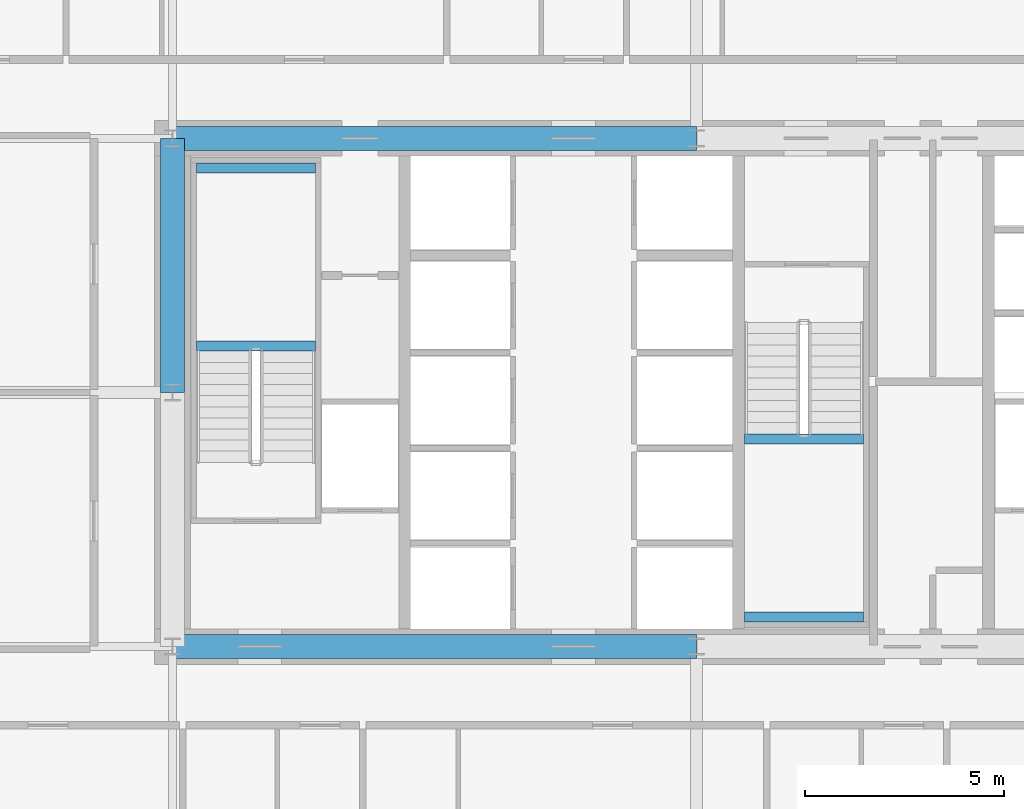
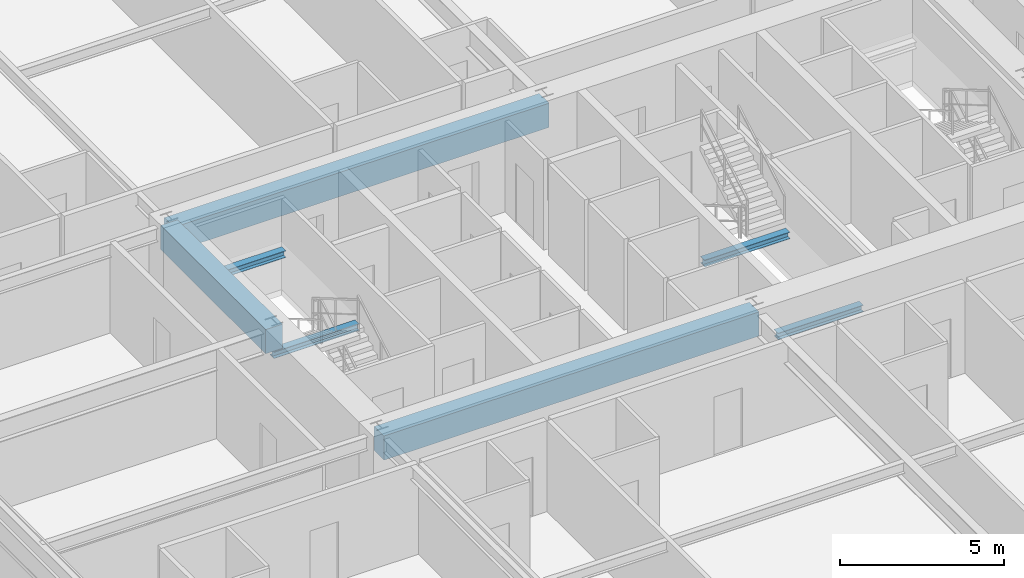
# One storey, part 12 of 43: 7 beams.
"""IFC4 building model written with IfcOpenShell, lengths in metres."""

from ifc_helpers import new_model, si_unit, direction, frame, origin, origin_2d, place, context, subcontext, project, spatial, rectangle, i_section, extrude, source, transform, mapped, material, material_profile, profile_set, type_object, element, save


model = new_model("IFC4")

# Units and contexts
model_context = context("Model", 3, precision=1e-05, world=origin(), true_north=direction((0.0, 1.0)))
body_context = subcontext(model_context, "Body", "Model", "MODEL_VIEW")
ifc_project = project(units=[si_unit("LENGTHUNIT", "METRE"), si_unit("AREAUNIT", "SQUARE_METRE"), si_unit("VOLUMEUNIT", "CUBIC_METRE"), si_unit("PLANEANGLEUNIT", "RADIAN"), si_unit("MASSUNIT", "GRAM", prefix="KILO"), si_unit("THERMODYNAMICTEMPERATUREUNIT", "KELVIN"), si_unit("POWERUNIT", "WATT")], contexts=[model_context])

# Site, building, storey
site_placement = place(None, origin())
site = spatial("IfcSite", under=ifc_project, at=site_placement, CompositionType="ELEMENT")
building_placement = place(site_placement, origin())
building = spatial("IfcBuilding", under=site, at=building_placement, Name="Yuzanri Waterfront Tower", CompositionType="ELEMENT")
storey_placement = place(building_placement, frame((0.0, 0.0, 67.60009765625)))
storey = spatial("IfcBuildingStorey", under=building, at=storey_placement, Name="L17", CompositionType="ELEMENT", Elevation=67.60009765625)

# Beams
ifc_material_1 = material(Name="Concrete C60", Category="concrete")
ifc_material_profile_1 = material_profile(ifc_material_1, rectangle(XDim=0.60009765625, YDim=0.89990234375, at=origin_2d()), Name="RC 600x900")
ifc_profile_set_1 = profile_set([ifc_material_profile_1], Name="Concrete C60")
beam_type_1 = type_object("IfcBeamType", Name="Core Coupling Lintel Concrete C60 600x900", PredefinedType="LINTEL", material=ifc_profile_set_1)
shared_shape_1 = source(origin(), body_context, "Body", "SweptSolid", [
    extrude(rectangle(XDim=0.60009765625, YDim=0.89990234375, at=origin_2d()), origin(), (0.0, 0.0, 1.0), 13.199951171875),
])
for number, where, z_axis, x_axis, name in (
    (1, (23.800048828125, 19.39990234375, 2.929931640625), (1.0, 0.0, 0.0), (0.0, 1.0, 0.0), "L17 Core Tie Beam CS1"),
    (2, (23.800048828125, 32.199951171875, 2.929931640625), (1.0, 0.0, 0.0), (0.0, 1.0, 0.0), "L17 Core Tie Beam CN1"),
):
    element("IfcBeam", number, at=place(storey_placement, frame(where, z_axis=z_axis, x_axis=x_axis)), inside=storey, type_object=beam_type_1, Name=name, PredefinedType="LINTEL", context=body_context, shape_type="MappedRepresentation", body=[
        mapped(shared_shape_1, transform((0.0, 0.0, 0.0), scale=1.0)),
    ])
shared_shape_2 = source(origin(), body_context, "Body", "SweptSolid", [
    extrude(rectangle(XDim=0.60009765625, YDim=0.89990234375, at=origin_2d()), origin(), (0.0, 0.0, 1.0), 6.39990234375),
])
beam_placement = place(storey_placement, frame((23.800048828125, 25.800048828125, 2.929931640625), z_axis=(0.0, 1.0, 0.0), x_axis=(-1.0, 0.0, 0.0)))
element("IfcBeam", 3, at=beam_placement, inside=storey, type_object=beam_type_1, Name="L17 Core Tie Beam CW2", PredefinedType="LINTEL", context=body_context, shape_type="MappedRepresentation", body=[
    mapped(shared_shape_2, transform((0.0, 0.0, 0.0), scale=1.0)),
])
ifc_material_2 = material(Name="Steel Q355B", Category="steel")
ifc_material_profile_2 = material_profile(ifc_material_2, i_section(OverallWidth=0.25, OverallDepth=0.25, WebThickness=0.009033203125, FlangeThickness=0.013916015625, at=origin_2d()), Name="HW 250x250x9x14")
ifc_profile_set_2 = profile_set([ifc_material_profile_2], Name="Steel Q355B")
beam_type_2 = type_object("IfcBeamType", Name="Stair Landing Support Beam Q355B HW 250x250", PredefinedType="BEAM", material=ifc_profile_set_2)
shared_shape_3 = source(origin(), body_context, "Body", "SweptSolid", [
    extrude(i_section(OverallWidth=0.25, OverallDepth=0.25, WebThickness=0.009033203125, FlangeThickness=0.013916015625, at=origin_2d()), origin(), (0.0, 0.0, 1.0), 3.0),
])
for number, where, z_axis, x_axis, name in (
    (4, (24.39990234375, 26.969970703125, 1.474853515625), (1.0, 0.0, 0.0), (0.0, 1.0, 0.0), "L17 Stair Landing Support Beam ST-01-L17-L1-1"),
    (5, (24.39990234375, 31.449951171875, 1.474853515625), (1.0, 0.0, 0.0), (0.0, 1.0, 0.0), "L17 Stair Landing Support Beam ST-01-L17-L1-2"),
    (6, (38.199951171875, 20.14990234375, 1.474853515625), (1.0, 0.0, 0.0), (0.0, 1.0, 0.0), "L17 Stair Landing Support Beam ST-03-L17-L1-1"),
    (7, (38.199951171875, 24.6298828125, 1.474853515625), (1.0, 0.0, 0.0), (0.0, 1.0, 0.0), "L17 Stair Landing Support Beam ST-03-L17-L1-2"),
):
    element("IfcBeam", number, at=place(storey_placement, frame(where, z_axis=z_axis, x_axis=x_axis)), inside=storey, type_object=beam_type_2, Name=name, PredefinedType="BEAM", context=body_context, shape_type="MappedRepresentation", body=[
        mapped(shared_shape_3, transform((0.0, 0.0, 0.0), scale=1.0)),
    ])

save(model, "model.ifc")
